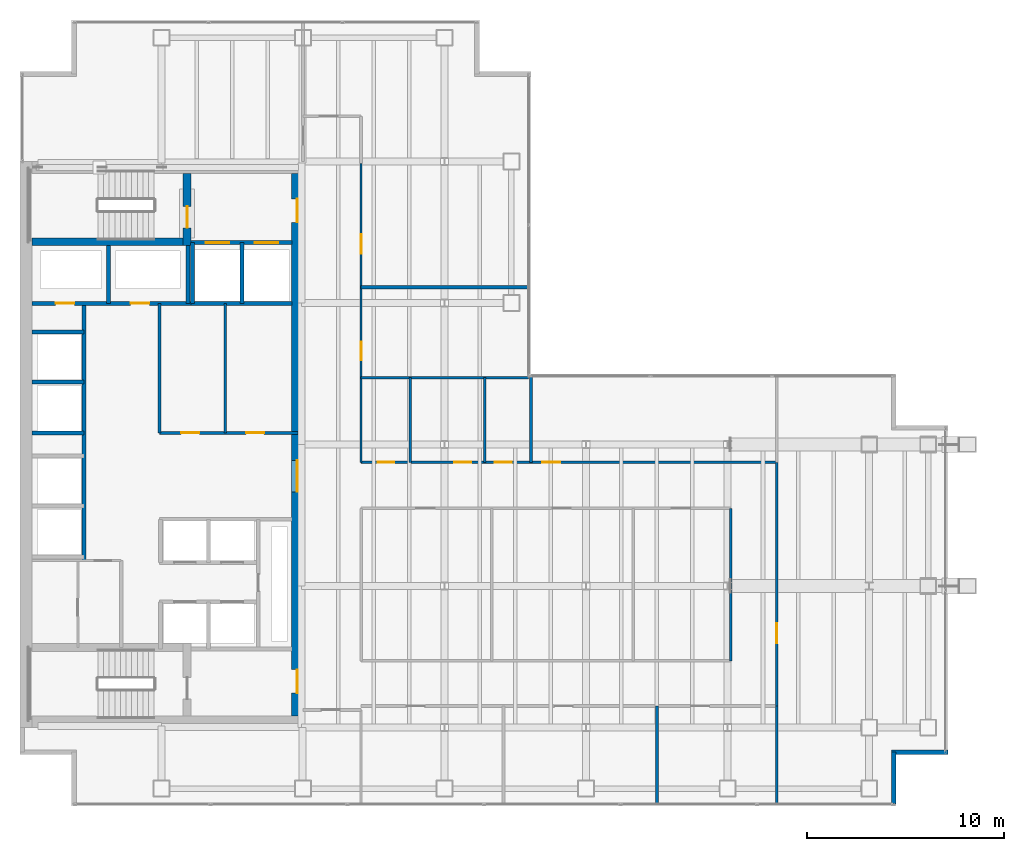
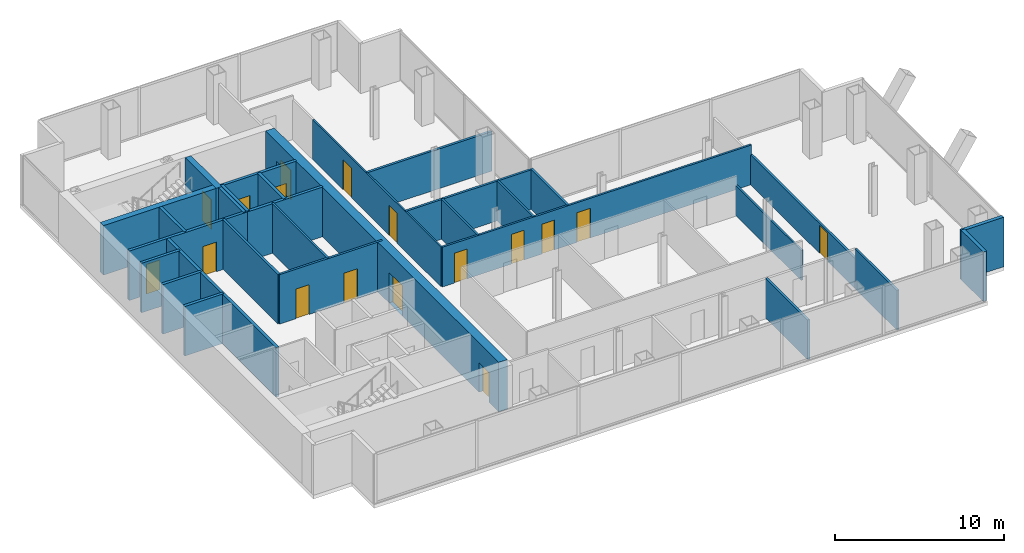
# One storey, part 21 of 23: 30 walls, 17 doors, 17 openings.
"""IFC4 building model written with IfcOpenShell, lengths in metres."""

from ifc_helpers import new_model, si_unit, direction, frame, frame_2d, origin, place, context, subcontext, project, spatial, rectangle, extrude, material, layer, layer_set, type_object, element, fill, save


model = new_model("IFC4")

# Units and contexts
model_context = context("Model", 3, precision=1e-05, world=origin(), true_north=direction((0.0, 1.0)))
body_context = subcontext(model_context, "Body", "Model", "MODEL_VIEW")
ifc_project = project(units=[si_unit("LENGTHUNIT", "METRE"), si_unit("AREAUNIT", "SQUARE_METRE"), si_unit("VOLUMEUNIT", "CUBIC_METRE"), si_unit("PLANEANGLEUNIT", "RADIAN"), si_unit("MASSUNIT", "GRAM", prefix="KILO")], contexts=[model_context])

# Site, building, storey
site_placement = place(None, origin())
site = spatial("IfcSite", under=ifc_project, at=site_placement, CompositionType="ELEMENT")
building_placement = place(site_placement, origin())
building = spatial("IfcBuilding", under=site, at=building_placement, Name="Cobrela Telecom Tower", CompositionType="ELEMENT")
storey_placement = place(building_placement, frame((0.0, 0.0, 156.10009765625)))
storey = spatial("IfcBuildingStorey", under=building, at=storey_placement, Name="L39", CompositionType="ELEMENT", Elevation=156.10009765625)

# Wall, openings, doors
ifc_material_1 = material(Name="Concrete C50/60", Category="concrete")
ifc_layer_1 = layer(ifc_material_1, 0.60009765625)
ifc_layer_set_1 = layer_set([ifc_layer_1], Name="Concrete C50/60")
wall_type_1 = type_object("IfcWallType", Name="WALL-CORE-C50-600", PredefinedType="SHEAR", material=ifc_layer_set_1)
wall_1_placement = place(storey_placement, frame((14.10009765625, 35.39990234375, 0.0), z_axis=(0.0, 0.0, 1.0), x_axis=(0.0, -1.0, 0.0)))
wall_1 = element("IfcWall", 1, at=wall_1_placement, inside=storey, type_object=wall_type_1, Name="L39 East Core Shear Wall", PredefinedType="SHEAR", context=body_context, shape_type="SweptSolid", body=[
    extrude(rectangle(XDim=27.599853515625, YDim=0.60009765625, at=frame_2d((13.7998046875, 0.0))), origin(), (0.0, 0.0, 1.0), 3.579833984375),
])
opening_1_placement = place(wall_1_placement, frame((1.300048828125, 0.0, 0.0)))
opening_1 = element("IfcOpeningElement", 2, at=opening_1_placement, cuts=wall_1, Name="Opening DR-19", PredefinedType="OPENING", context=body_context, shape_type="SweptSolid", body=[
    extrude(rectangle(XDim=1.199951171875, YDim=2.14990234375, at=frame_2d((0.60009765625, 1.074951171875))), frame((0.0, 0.31201171875, 0.0), z_axis=(0.0, -1.0, 0.0), x_axis=(1.0, 0.0, 0.0)), (0.0, 0.0, 1.0), 0.6240234375),
])
opening_2_placement = place(wall_1_placement, frame((25.25, 0.0, 0.0)))
opening_2 = element("IfcOpeningElement", 3, at=opening_2_placement, cuts=wall_1, Name="Opening DR-19", PredefinedType="OPENING", context=body_context, shape_type="SweptSolid", body=[
    extrude(rectangle(XDim=1.199951171875, YDim=2.14990234375, at=frame_2d((0.60009765625, 1.074951171875))), frame((0.0, 0.31201171875, 0.0), z_axis=(0.0, -1.0, 0.0), x_axis=(1.0, 0.0, 0.0)), (0.0, 0.0, 1.0), 0.6240234375),
])
opening_3_placement = place(wall_1_placement, frame((14.60009765625, 0.0, 0.0)))
opening_3 = element("IfcOpeningElement", 4, at=opening_3_placement, cuts=wall_1, Name="Opening DR-51", PredefinedType="OPENING", context=body_context, shape_type="SweptSolid", body=[
    extrude(rectangle(XDim=1.60009765625, YDim=2.199951171875, at=frame_2d((0.800048828125, 1.10009765625))), frame((0.0, 0.31201171875, 0.0), z_axis=(0.0, -1.0, 0.0), x_axis=(1.0, 0.0, 0.0)), (0.0, 0.0, 1.0), 0.6240234375),
])
ifc_material_2 = material(Name="Steel ASTM A36", Category="steel")
door_type_1 = type_object("IfcDoorType", Name="DOOR-FD60-1200", OperationType="SINGLE_SWING_LEFT", PredefinedType="DOOR", material=ifc_material_2)
door_1_placement = place(opening_1_placement, origin())
door_1 = element("IfcDoor", 5, at=door_1_placement, inside=storey, type_object=door_type_1, Name="L39 Door DR-19", OperationType="SINGLE_SWING_LEFT", OverallHeight=2.14990234375, OverallWidth=1.199951171875, PredefinedType="DOOR", context=body_context, shape_type="SweptSolid", body=[
    extrude(rectangle(XDim=1.199951171875, YDim=2.14990234375, at=frame_2d((0.60009765625, 1.074951171875))), frame((0.0, 0.02490234375, 0.0), z_axis=(0.0, -1.0, 0.0), x_axis=(1.0, 0.0, 0.0)), (0.0, 0.0, 1.0), 0.050048828125),
])
fill(opening_1, door_1)
door_2_placement = place(opening_2_placement, origin())
door_2 = element("IfcDoor", 6, at=door_2_placement, inside=storey, type_object=door_type_1, Name="L39 Door DR-19", OperationType="SINGLE_SWING_RIGHT", OverallHeight=2.14990234375, OverallWidth=1.199951171875, PredefinedType="DOOR", context=body_context, shape_type="SweptSolid", body=[
    extrude(rectangle(XDim=1.199951171875, YDim=2.14990234375, at=frame_2d((0.60009765625, 1.074951171875))), frame((0.0, 0.02490234375, 0.0), z_axis=(0.0, -1.0, 0.0), x_axis=(1.0, 0.0, 0.0)), (0.0, 0.0, 1.0), 0.050048828125),
])
fill(opening_2, door_2)
door_type_2 = type_object("IfcDoorType", Name="DOOR-FD60-1600", OperationType="SINGLE_SWING_LEFT", PredefinedType="DOOR", material=ifc_material_2)
door_3_placement = place(opening_3_placement, origin())
door_3 = element("IfcDoor", 7, at=door_3_placement, inside=storey, type_object=door_type_2, Name="L39 Door DR-51", OperationType="DOUBLE_DOOR_SINGLE_SWING", OverallHeight=2.199951171875, OverallWidth=1.60009765625, PredefinedType="DOOR", context=body_context, shape_type="SweptSolid", body=[
    extrude(rectangle(XDim=1.60009765625, YDim=2.199951171875, at=frame_2d((0.800048828125, 1.10009765625))), frame((0.0, 0.02490234375, 0.0), z_axis=(0.0, -1.0, 0.0), x_axis=(1.0, 0.0, 0.0)), (0.0, 0.0, 1.0), 0.050048828125),
])
fill(opening_3, door_3)

# Walls
ifc_material_3 = material(Name="Concrete C40/50", Category="concrete")
ifc_layer_2 = layer(ifc_material_3, 0.239990234375)
ifc_layer_set_2 = layer_set([ifc_layer_2], Name="Concrete C40/50")
wall_type_2 = type_object("IfcWallType", Name="WALL-EXT-300", PredefinedType="STANDARD", material=ifc_layer_set_2)
wall_2_placement = place(storey_placement, frame((47.199951171875, 5.949951171875, 0.0), z_axis=(0.0, 0.0, 1.0), x_axis=(-1.0, 0.0, 0.0)))
element("IfcWall", 8, at=wall_2_placement, inside=storey, type_object=wall_type_2, Name="L39 Insulated Facade Wall 15", PredefinedType="STANDARD", context=body_context, shape_type="SweptSolid", body=[
    extrude(rectangle(XDim=2.869873046875, YDim=0.239990234375, at=frame_2d((1.43505859375, 0.0))), origin(), (0.0, 0.0, 1.0), 3.579833984375),
])
wall_3_placement = place(storey_placement, frame((44.449951171875, 5.949951171875, 0.0), z_axis=(0.0, 0.0, 1.0), x_axis=(0.0, -1.0, 0.0)))
element("IfcWall", 9, at=wall_3_placement, inside=storey, type_object=wall_type_2, Name="L39 Insulated Facade Wall 16", PredefinedType="STANDARD", context=body_context, shape_type="SweptSolid", body=[
    extrude(rectangle(XDim=2.6298828125, YDim=0.239990234375, at=frame_2d((1.31494140625, 0.0))), origin(), (0.0, 0.0, 1.0), 3.579833984375),
])

# Wall, openings, doors
ifc_material_4 = material(Name="Fire-Rated Gypsum Plasterboard")
ifc_layer_3 = layer(ifc_material_4, 0.110107421875)
ifc_layer_set_3 = layer_set([ifc_layer_3], Name="Fire-Rated Gypsum Plasterboard")
wall_type_3 = type_object("IfcWallType", Name="WALL-PART-110", PredefinedType="PARTITIONING", material=ifc_layer_set_3)
wall_4_placement = place(storey_placement, frame((17.35009765625, 20.699951171875, 0.0), z_axis=(0.0, 0.0, 1.0), x_axis=(0.0, 1.0, 0.0)))
wall_4 = element("IfcWall", 10, at=wall_4_placement, inside=storey, type_object=wall_type_3, Name="L39 Interior Partition W-UW-E2", PredefinedType="PARTITIONING", context=body_context, shape_type="SweptSolid", body=[
    extrude(rectangle(XDim=15.199951171875, YDim=0.110107421875, at=frame_2d((7.60009765625, 0.0))), origin(), (0.0, 0.0, 1.0), 2.868896484375),
])
opening_4_placement = place(wall_4_placement, frame((5.199951171875, 0.0, 0.0)))
opening_4 = element("IfcOpeningElement", 11, at=opening_4_placement, cuts=wall_4, Name="Opening DR-45", PredefinedType="OPENING", context=body_context, shape_type="SweptSolid", body=[
    extrude(rectangle(XDim=0.919921875, YDim=2.14990234375, at=frame_2d((0.4599609375, 1.074951171875))), frame((0.0, 0.06689453125, 0.0), z_axis=(0.0, -1.0, 0.0), x_axis=(1.0, 0.0, 0.0)), (0.0, 0.0, 1.0), 0.134033203125),
])
opening_5_placement = place(wall_4_placement, frame((10.60009765625, 0.0, 0.0)))
opening_5 = element("IfcOpeningElement", 12, at=opening_5_placement, cuts=wall_4, Name="Opening DR-31", PredefinedType="OPENING", context=body_context, shape_type="SweptSolid", body=[
    extrude(rectangle(XDim=1.0, YDim=2.14990234375, at=frame_2d((0.5, 1.074951171875))), frame((0.0, 0.06689453125, 0.0), z_axis=(0.0, -1.0, 0.0), x_axis=(1.0, 0.0, 0.0)), (0.0, 0.0, 1.0), 0.134033203125),
])
ifc_material_5 = material(Name="Solid Engineered Oak Timber", Category="wood")
door_type_3 = type_object("IfcDoorType", Name="DOOR-INT-1000", OperationType="SINGLE_SWING_LEFT", PredefinedType="DOOR", material=ifc_material_5)
door_4_placement = place(opening_5_placement, origin())
door_4 = element("IfcDoor", 13, at=door_4_placement, inside=storey, type_object=door_type_3, Name="L39 Door DR-31", OperationType="SINGLE_SWING_LEFT", OverallHeight=2.14990234375, OverallWidth=1.0, PredefinedType="DOOR", context=body_context, shape_type="SweptSolid", body=[
    extrude(rectangle(XDim=1.0, YDim=2.14990234375, at=frame_2d((0.5, 1.074951171875))), frame((0.0, 0.02490234375, 0.0), z_axis=(0.0, -1.0, 0.0), x_axis=(1.0, 0.0, 0.0)), (0.0, 0.0, 1.0), 0.050048828125),
])
fill(opening_5, door_4)
door_type_4 = type_object("IfcDoorType", Name="DOOR-INT-920", OperationType="SINGLE_SWING_LEFT", PredefinedType="DOOR", material=ifc_material_5)
door_5_placement = place(opening_4_placement, origin())
door_5 = element("IfcDoor", 14, at=door_5_placement, inside=storey, type_object=door_type_4, Name="L39 Door DR-45", OperationType="SINGLE_SWING_RIGHT", OverallHeight=2.14990234375, OverallWidth=0.919921875, PredefinedType="DOOR", context=body_context, shape_type="SweptSolid", body=[
    extrude(rectangle(XDim=0.919921875, YDim=2.14990234375, at=frame_2d((0.4599609375, 1.074951171875))), frame((0.0, 0.02490234375, 0.0), z_axis=(0.0, -1.0, 0.0), x_axis=(1.0, 0.0, 0.0)), (0.0, 0.0, 1.0), 0.050048828125),
])
fill(opening_4, door_5)

# Walls
ifc_layer_4 = layer(ifc_material_4, 0.125)
ifc_layer_set_4 = layer_set([ifc_layer_4], Name="Fire-Rated Gypsum Plasterboard")
wall_type_4 = type_object("IfcWallType", Name="WALL-PART-125", PredefinedType="PARTITIONING", material=ifc_layer_set_4)
wall_5_placement = place(storey_placement, frame((36.14990234375, 10.60009765625, 0.0), z_axis=(0.0, 0.0, 1.0), x_axis=(0.0, 1.0, 0.0)))
element("IfcWall", 15, at=wall_5_placement, inside=storey, type_object=wall_type_4, Name="L39 Interior Partition W-ISL-E", PredefinedType="PARTITIONING", context=body_context, shape_type="SweptSolid", body=[
    extrude(rectangle(XDim=7.75, YDim=0.125, at=frame_2d((3.875, 0.0))), origin(), (0.0, 0.0, 1.0), 2.164794921875),
])
for number, where, z_axis, x_axis, name in (
    (16, (19.85009765625, 20.699951171875, 0.0), (0.0, 0.0, 1.0), (0.0, 1.0, 0.0), "L39 Interior Partition W-WC-V1"),
    (17, (23.64990234375, 20.699951171875, 0.0), (0.0, 0.0, 1.0), (0.0, 1.0, 0.0), "L39 Interior Partition W-WC-V2"),
):
    element("IfcWall", number, at=place(storey_placement, frame(where, z_axis=z_axis, x_axis=x_axis)), inside=storey, type_object=wall_type_4, Name=name, PredefinedType="PARTITIONING", context=body_context, shape_type="SweptSolid", body=[
        extrude(rectangle(XDim=4.300048828125, YDim=0.125, at=frame_2d((2.14990234375, 0.0))), origin(), (0.0, 0.0, 1.0), 2.868896484375),
    ])
ifc_layer_5 = layer(ifc_material_4, 0.135009765625)
ifc_layer_set_5 = layer_set([ifc_layer_5], Name="Fire-Rated Gypsum Plasterboard")
wall_type_5 = type_object("IfcWallType", Name="WALL-PART-135", PredefinedType="PARTITIONING", material=ifc_layer_set_5)
wall_6_placement = place(storey_placement, frame((10.449951171875, 22.199951171875, 0.0), z_axis=(0.0, 0.0, 1.0), x_axis=(0.0, 1.0, 0.0)))
element("IfcWall", 18, at=wall_6_placement, inside=storey, type_object=wall_type_5, Name="L39 Interior Partition CW-RECL-V", PredefinedType="PARTITIONING", context=body_context, shape_type="SweptSolid", body=[
    extrude(rectangle(XDim=6.580078125, YDim=0.135009765625, at=frame_2d((3.2900390625, 0.0))), origin(), (0.0, 0.0, 1.0), 3.579833984375),
])

# Wall, openings, doors
wall_7_placement = place(storey_placement, frame((17.35009765625, 20.699951171875, 0.0), z_axis=(0.0, 0.0, 1.0), x_axis=(1.0, 0.0, 0.0)))
wall_7 = element("IfcWall", 19, at=wall_7_placement, inside=storey, type_object=wall_type_5, Name="L39 Interior Partition W-UN-N", PredefinedType="PARTITIONING", context=body_context, shape_type="SweptSolid", body=[
    extrude(rectangle(XDim=21.14990234375, YDim=0.135009765625, at=frame_2d((10.574951171875, 0.0))), origin(), (0.0, 0.0, 1.0), 2.868896484375),
])
opening_6_placement = place(wall_7_placement, frame((0.85009765625, 0.0, 0.0)))
opening_6 = element("IfcOpeningElement", 20, at=opening_6_placement, cuts=wall_7, Name="Opening DR-11", PredefinedType="OPENING", context=body_context, shape_type="SweptSolid", body=[
    extrude(rectangle(XDim=0.85009765625, YDim=2.14990234375, at=frame_2d((0.425048828125, 1.074951171875))), frame((0.0, 0.07958984375, 0.0), z_axis=(0.0, -1.0, 0.0), x_axis=(1.0, 0.0, 0.0)), (0.0, 0.0, 1.0), 0.158935546875),
])
opening_7_placement = place(wall_7_placement, frame((4.75, 0.0, 0.0)))
opening_7 = element("IfcOpeningElement", 21, at=opening_7_placement, cuts=wall_7, Name="Opening DR-11", PredefinedType="OPENING", context=body_context, shape_type="SweptSolid", body=[
    extrude(rectangle(XDim=0.85009765625, YDim=2.14990234375, at=frame_2d((0.425048828125, 1.074951171875))), frame((0.0, 0.07958984375, 0.0), z_axis=(0.0, -1.0, 0.0), x_axis=(1.0, 0.0, 0.0)), (0.0, 0.0, 1.0), 0.158935546875),
])
opening_8_placement = place(wall_7_placement, frame((6.81005859375, 0.0, 0.0)))
opening_8 = element("IfcOpeningElement", 22, at=opening_8_placement, cuts=wall_7, Name="Opening DR-11", PredefinedType="OPENING", context=body_context, shape_type="SweptSolid", body=[
    extrude(rectangle(XDim=0.85009765625, YDim=2.14990234375, at=frame_2d((0.425048828125, 1.074951171875))), frame((0.0, 0.07958984375, 0.0), z_axis=(0.0, -1.0, 0.0), x_axis=(1.0, 0.0, 0.0)), (0.0, 0.0, 1.0), 0.158935546875),
])
opening_9_placement = place(wall_7_placement, frame((9.2099609375, 0.0, 0.0)))
opening_9 = element("IfcOpeningElement", 23, at=opening_9_placement, cuts=wall_7, Name="Opening DR-45", PredefinedType="OPENING", context=body_context, shape_type="SweptSolid", body=[
    extrude(rectangle(XDim=0.919921875, YDim=2.14990234375, at=frame_2d((0.4599609375, 1.074951171875))), frame((0.0, 0.07958984375, 0.0), z_axis=(0.0, -1.0, 0.0), x_axis=(1.0, 0.0, 0.0)), (0.0, 0.0, 1.0), 0.158935546875),
])
door_type_5 = type_object("IfcDoorType", Name="DOOR-INT-850", OperationType="SINGLE_SWING_LEFT", PredefinedType="DOOR", material=ifc_material_5)
door_6_placement = place(opening_6_placement, origin())
door_6 = element("IfcDoor", 24, at=door_6_placement, inside=storey, type_object=door_type_5, Name="L39 Door DR-11", OperationType="SINGLE_SWING_LEFT", OverallHeight=2.14990234375, OverallWidth=0.85009765625, PredefinedType="DOOR", context=body_context, shape_type="SweptSolid", body=[
    extrude(rectangle(XDim=0.85009765625, YDim=2.14990234375, at=frame_2d((0.425048828125, 1.074951171875))), frame((0.0, 0.02490234375, 0.0), z_axis=(0.0, -1.0, 0.0), x_axis=(1.0, 0.0, 0.0)), (0.0, 0.0, 1.0), 0.050048828125),
])
fill(opening_6, door_6)
door_7_placement = place(opening_7_placement, origin())
door_7 = element("IfcDoor", 25, at=door_7_placement, inside=storey, type_object=door_type_5, Name="L39 Door DR-11", OperationType="SINGLE_SWING_RIGHT", OverallHeight=2.14990234375, OverallWidth=0.85009765625, PredefinedType="DOOR", context=body_context, shape_type="SweptSolid", body=[
    extrude(rectangle(XDim=0.85009765625, YDim=2.14990234375, at=frame_2d((0.425048828125, 1.074951171875))), frame((0.0, 0.02490234375, 0.0), z_axis=(0.0, -1.0, 0.0), x_axis=(1.0, 0.0, 0.0)), (0.0, 0.0, 1.0), 0.050048828125),
])
fill(opening_7, door_7)
door_8_placement = place(opening_8_placement, origin())
door_8 = element("IfcDoor", 26, at=door_8_placement, inside=storey, type_object=door_type_5, Name="L39 Door DR-11", OperationType="SINGLE_SWING_LEFT", OverallHeight=2.14990234375, OverallWidth=0.85009765625, PredefinedType="DOOR", context=body_context, shape_type="SweptSolid", body=[
    extrude(rectangle(XDim=0.85009765625, YDim=2.14990234375, at=frame_2d((0.425048828125, 1.074951171875))), frame((0.0, 0.02490234375, 0.0), z_axis=(0.0, -1.0, 0.0), x_axis=(1.0, 0.0, 0.0)), (0.0, 0.0, 1.0), 0.050048828125),
])
fill(opening_8, door_8)
door_9_placement = place(opening_9_placement, origin())
door_9 = element("IfcDoor", 27, at=door_9_placement, inside=storey, type_object=door_type_4, Name="L39 Door DR-45", OperationType="SINGLE_SWING_RIGHT", OverallHeight=2.14990234375, OverallWidth=0.919921875, PredefinedType="DOOR", context=body_context, shape_type="SweptSolid", body=[
    extrude(rectangle(XDim=0.919921875, YDim=2.14990234375, at=frame_2d((0.4599609375, 1.074951171875))), frame((0.0, 0.02490234375, 0.0), z_axis=(0.0, -1.0, 0.0), x_axis=(1.0, 0.0, 0.0)), (0.0, 0.0, 1.0), 0.050048828125),
])
fill(opening_9, door_9)

ifc_layer_6 = layer(ifc_material_4, 0.14990234375)
ifc_layer_set_6 = layer_set([ifc_layer_6], Name="Fire-Rated Gypsum Plasterboard")
wall_type_6 = type_object("IfcWallType", Name="WALL-PART-150", PredefinedType="PARTITIONING", material=ifc_layer_set_6)
wall_8_placement = place(storey_placement, frame((7.10009765625, 22.199951171875, 0.0), z_axis=(0.0, 0.0, 1.0), x_axis=(1.0, 0.0, 0.0)))
wall_8 = element("IfcWall", 28, at=wall_8_placement, inside=storey, type_object=wall_type_6, Name="L39 Interior Partition CW-RECL-S", PredefinedType="PARTITIONING", context=body_context, shape_type="SweptSolid", body=[
    extrude(rectangle(XDim=7.0498046875, YDim=0.14990234375, at=frame_2d((3.52490234375, 0.0))), origin(), (0.0, 0.0, 1.0), 3.579833984375),
])
opening_10_placement = place(wall_8_placement, frame((1.10009765625, 0.0, 0.0)))
opening_10 = element("IfcOpeningElement", 29, at=opening_10_placement, cuts=wall_8, Name="Opening DR-45", PredefinedType="OPENING", context=body_context, shape_type="SweptSolid", body=[
    extrude(rectangle(XDim=0.919921875, YDim=2.14990234375, at=frame_2d((0.4599609375, 1.074951171875))), frame((0.0, 0.0869140625, 0.0), z_axis=(0.0, -1.0, 0.0), x_axis=(1.0, 0.0, 0.0)), (0.0, 0.0, 1.0), 0.173828125),
])
opening_11_placement = place(wall_8_placement, frame((4.39990234375, 0.0, 0.0)))
opening_11 = element("IfcOpeningElement", 30, at=opening_11_placement, cuts=wall_8, Name="Opening DR-45", PredefinedType="OPENING", context=body_context, shape_type="SweptSolid", body=[
    extrude(rectangle(XDim=0.919921875, YDim=2.14990234375, at=frame_2d((0.4599609375, 1.074951171875))), frame((0.0, 0.0869140625, 0.0), z_axis=(0.0, -1.0, 0.0), x_axis=(1.0, 0.0, 0.0)), (0.0, 0.0, 1.0), 0.173828125),
])
door_10_placement = place(opening_10_placement, origin())
door_10 = element("IfcDoor", 31, at=door_10_placement, inside=storey, type_object=door_type_4, Name="L39 Door DR-45", OperationType="SINGLE_SWING_LEFT", OverallHeight=2.14990234375, OverallWidth=0.919921875, PredefinedType="DOOR", context=body_context, shape_type="SweptSolid", body=[
    extrude(rectangle(XDim=0.919921875, YDim=2.14990234375, at=frame_2d((0.4599609375, 1.074951171875))), frame((0.0, 0.02490234375, 0.0), z_axis=(0.0, -1.0, 0.0), x_axis=(1.0, 0.0, 0.0)), (0.0, 0.0, 1.0), 0.050048828125),
])
fill(opening_10, door_10)
door_11_placement = place(opening_11_placement, origin())
door_11 = element("IfcDoor", 32, at=door_11_placement, inside=storey, type_object=door_type_4, Name="L39 Door DR-45", OperationType="SINGLE_SWING_RIGHT", OverallHeight=2.14990234375, OverallWidth=0.919921875, PredefinedType="DOOR", context=body_context, shape_type="SweptSolid", body=[
    extrude(rectangle(XDim=0.919921875, YDim=2.14990234375, at=frame_2d((0.4599609375, 1.074951171875))), frame((0.0, 0.02490234375, 0.0), z_axis=(0.0, -1.0, 0.0), x_axis=(1.0, 0.0, 0.0)), (0.0, 0.0, 1.0), 0.050048828125),
])
fill(opening_11, door_11)

# Wall, opening, door
wall_9_placement = place(storey_placement, frame((38.5, 8.300048828125, 0.0), z_axis=(0.0, 0.0, 1.0), x_axis=(0.0, 1.0, 0.0)))
wall_9 = element("IfcWall", 33, at=wall_9_placement, inside=storey, type_object=wall_type_6, Name="L39 Interior Partition W-UE-E", PredefinedType="PARTITIONING", context=body_context, shape_type="SweptSolid", body=[
    extrude(rectangle(XDim=12.39990234375, YDim=0.14990234375, at=frame_2d((6.199951171875, 0.0))), origin(), (0.0, 0.0, 1.0), 2.164794921875),
])
opening_12_placement = place(wall_9_placement, frame((3.199951171875, 0.0, 0.0)))
opening_12 = element("IfcOpeningElement", 34, at=opening_12_placement, cuts=wall_9, Name="Opening DR-57", PredefinedType="OPENING", context=body_context, shape_type="SweptSolid", body=[
    extrude(rectangle(XDim=1.0, YDim=2.02001953125, at=frame_2d((0.5, 1.010009765625))), frame((0.0, 0.0869140625, 0.0), z_axis=(0.0, -1.0, 0.0), x_axis=(1.0, 0.0, 0.0)), (0.0, 0.0, 1.0), 0.173828125),
])
door_type_6 = type_object("IfcDoorType", Name="DOOR-LOW-1000", OperationType="SINGLE_SWING_LEFT", PredefinedType="DOOR", material=ifc_material_2)
door_12_placement = place(opening_12_placement, origin())
door_12 = element("IfcDoor", 35, at=door_12_placement, inside=storey, type_object=door_type_6, Name="L39 Door DR-57", OperationType="SINGLE_SWING_LEFT", OverallHeight=2.02001953125, OverallWidth=1.0, PredefinedType="DOOR", context=body_context, shape_type="SweptSolid", body=[
    extrude(rectangle(XDim=1.0, YDim=2.02001953125, at=frame_2d((0.5, 1.010009765625))), frame((0.0, 0.02490234375, 0.0), z_axis=(0.0, -1.0, 0.0), x_axis=(1.0, 0.0, 0.0)), (0.0, 0.0, 1.0), 0.050048828125),
])
fill(opening_12, door_12)

# Walls
wall_10_placement = place(storey_placement, frame((17.35009765625, 25.0, 0.0), z_axis=(0.0, 0.0, 1.0), x_axis=(1.0, 0.0, 0.0)))
element("IfcWall", 36, at=wall_10_placement, inside=storey, type_object=wall_type_6, Name="L39 Interior Partition W-WC-N", PredefinedType="PARTITIONING", context=body_context, shape_type="SweptSolid", body=[
    extrude(rectangle(XDim=8.52978515625, YDim=0.14990234375, at=frame_2d((4.264892578125, 0.0))), origin(), (0.0, 0.0, 1.0), 2.868896484375),
])
for number, where, z_axis, x_axis, name in (
    (37, (38.5, 3.320068359375, 0.0), (0.0, 0.0, 1.0), (0.0, 1.0, 0.0), "L39 Interior Partition W-UFE-S"),
    (38, (32.39990234375, 3.320068359375, 0.0), (0.0, 0.0, 1.0), (0.0, 1.0, 0.0), "L39 Interior Partition W-USV-2"),
):
    element("IfcWall", number, at=place(storey_placement, frame(where, z_axis=z_axis, x_axis=x_axis)), inside=storey, type_object=wall_type_6, Name=name, PredefinedType="PARTITIONING", context=body_context, shape_type="SweptSolid", body=[
        extrude(rectangle(XDim=4.97998046875, YDim=0.14990234375, at=frame_2d((2.489990234375, 0.0))), origin(), (0.0, 0.0, 1.0), 2.868896484375),
    ])
ifc_layer_7 = layer(ifc_material_4, 0.159912109375)
ifc_layer_set_7 = layer_set([ifc_layer_7], Name="Fire-Rated Gypsum Plasterboard")
wall_type_7 = type_object("IfcWallType", Name="WALL-PART-160", PredefinedType="PARTITIONING", material=ifc_layer_set_7)
wall_11_placement = place(storey_placement, frame((7.10009765625, 22.199951171875, 0.0), z_axis=(0.0, 0.0, 1.0), x_axis=(0.0, 1.0, 0.0)))
element("IfcWall", 39, at=wall_11_placement, inside=storey, type_object=wall_type_7, Name="L39 Interior Partition CW-RECL-W", PredefinedType="PARTITIONING", context=body_context, shape_type="SweptSolid", body=[
    extrude(rectangle(XDim=6.580078125, YDim=0.159912109375, at=frame_2d((3.2900390625, 0.0))), origin(), (0.0, 0.0, 1.0), 3.579833984375),
])
wall_12_placement = place(storey_placement, frame((17.35009765625, 29.60009765625, 0.0), z_axis=(0.0, 0.0, 1.0), x_axis=(1.0, 0.0, 0.0)))
element("IfcWall", 40, at=wall_12_placement, inside=storey, type_object=wall_type_7, Name="L39 Interior Partition W-NPAN-N", PredefinedType="PARTITIONING", context=body_context, shape_type="SweptSolid", body=[
    extrude(rectangle(XDim=8.52978515625, YDim=0.159912109375, at=frame_2d((4.264892578125, 0.0))), origin(), (0.0, 0.0, 1.0), 2.868896484375),
])
wall_13_placement = place(storey_placement, frame((26.0, 20.699951171875, 0.0), z_axis=(0.0, 0.0, 1.0), x_axis=(0.0, 1.0, 0.0)))
element("IfcWall", 41, at=wall_13_placement, inside=storey, type_object=wall_type_7, Name="L39 Interior Partition W-UEN-W", PredefinedType="PARTITIONING", context=body_context, shape_type="SweptSolid", body=[
    extrude(rectangle(XDim=4.380126953125, YDim=0.159912109375, at=frame_2d((2.18994140625, 0.0))), origin(), (0.0, 0.0, 1.0), 2.868896484375),
])

# Wall, openings, doors
ifc_layer_8 = layer(ifc_material_4, 0.199951171875)
ifc_layer_set_8 = layer_set([ifc_layer_8], Name="Fire-Rated Gypsum Plasterboard")
wall_type_8 = type_object("IfcWallType", Name="WALL-SHAFT-200", PredefinedType="PARTITIONING", material=ifc_layer_set_8)
wall_14_placement = place(storey_placement, frame((8.699951171875, 31.8798828125, 0.0), z_axis=(0.0, 0.0, 1.0), x_axis=(1.0, 0.0, 0.0)))
wall_14 = element("IfcWall", 42, at=wall_14_placement, inside=storey, type_object=wall_type_8, Name="L39 Shaft Enclosure CW-FFL-S", PredefinedType="PARTITIONING", context=body_context, shape_type="SweptSolid", body=[
    extrude(rectangle(XDim=5.150146484375, YDim=0.199951171875, at=frame_2d((2.5751953125, 0.0))), origin(), (0.0, 0.0, 1.0), 3.579833984375),
])
opening_13_placement = place(wall_14_placement, frame((0.75, 0.0, 0.0)))
opening_13 = element("IfcOpeningElement", 43, at=opening_13_placement, cuts=wall_14, Name="Opening LD-2", PredefinedType="OPENING", context=body_context, shape_type="SweptSolid", body=[
    extrude(rectangle(XDim=1.199951171875, YDim=2.199951171875, at=frame_2d((0.60009765625, 1.10009765625))), frame((0.0, 0.11181640625, 0.0), z_axis=(0.0, -1.0, 0.0), x_axis=(1.0, 0.0, 0.0)), (0.0, 0.0, 1.0), 0.223876953125),
])
opening_14_placement = place(wall_14_placement, frame((3.25, 0.0, 0.0)))
opening_14 = element("IfcOpeningElement", 44, at=opening_14_placement, cuts=wall_14, Name="Opening LD-2", PredefinedType="OPENING", context=body_context, shape_type="SweptSolid", body=[
    extrude(rectangle(XDim=1.199951171875, YDim=2.199951171875, at=frame_2d((0.60009765625, 1.10009765625))), frame((0.0, 0.11181640625, 0.0), z_axis=(0.0, -1.0, 0.0), x_axis=(1.0, 0.0, 0.0)), (0.0, 0.0, 1.0), 0.223876953125),
])
door_type_7 = type_object("IfcDoorType", Name="DOOR-LD-FFL", OperationType="SINGLE_SWING_LEFT", PredefinedType="DOOR", material=ifc_material_2)
door_13_placement = place(opening_13_placement, origin())
door_13 = element("IfcDoor", 45, at=door_13_placement, inside=storey, type_object=door_type_7, Name="L39 Lift Landing Door LD-2", OperationType="DOUBLE_DOOR_SLIDING", OverallHeight=2.199951171875, OverallWidth=1.199951171875, PredefinedType="DOOR", context=body_context, shape_type="SweptSolid", body=[
    extrude(rectangle(XDim=1.199951171875, YDim=2.199951171875, at=frame_2d((0.60009765625, 1.10009765625))), frame((0.0, 0.02490234375, 0.0), z_axis=(0.0, -1.0, 0.0), x_axis=(1.0, 0.0, 0.0)), (0.0, 0.0, 1.0), 0.050048828125),
])
fill(opening_13, door_13)
door_14_placement = place(opening_14_placement, origin())
door_14 = element("IfcDoor", 46, at=door_14_placement, inside=storey, type_object=door_type_7, Name="L39 Lift Landing Door LD-2", OperationType="DOUBLE_DOOR_SLIDING", OverallHeight=2.199951171875, OverallWidth=1.199951171875, PredefinedType="DOOR", context=body_context, shape_type="SweptSolid", body=[
    extrude(rectangle(XDim=1.199951171875, YDim=2.199951171875, at=frame_2d((0.60009765625, 1.10009765625))), frame((0.0, 0.02490234375, 0.0), z_axis=(0.0, -1.0, 0.0), x_axis=(1.0, 0.0, 0.0)), (0.0, 0.0, 1.0), 0.050048828125),
])
fill(opening_14, door_14)

# Walls
wall_15_placement = place(storey_placement, frame((8.699951171875, 28.780029296875, 0.0), z_axis=(0.0, 0.0, 1.0), x_axis=(1.0, 0.0, 0.0)))
element("IfcWall", 47, at=wall_15_placement, inside=storey, type_object=wall_type_8, Name="L39 Shaft Enclosure CW-FFL-S2", PredefinedType="PARTITIONING", context=body_context, shape_type="SweptSolid", body=[
    extrude(rectangle(XDim=5.150146484375, YDim=0.199951171875, at=frame_2d((2.5751953125, 0.0))), origin(), (0.0, 0.0, 1.0), 3.579833984375),
])
for number, where, z_axis, x_axis, name in (
    (48, (8.780029296875, 28.780029296875, 0.0), (0.0, 0.0, 1.0), (0.0, 1.0, 0.0), "L39 Shaft Enclosure CW-FFL-W"),
    (49, (11.300048828125, 28.780029296875, 0.0), (0.0, 0.0, 1.0), (0.0, 1.0, 0.0), "L39 Shaft Enclosure CW-FFL-M"),
):
    element("IfcWall", number, at=place(storey_placement, frame(where, z_axis=z_axis, x_axis=x_axis)), inside=storey, type_object=wall_type_8, Name=name, PredefinedType="PARTITIONING", context=body_context, shape_type="SweptSolid", body=[
        extrude(rectangle(XDim=3.099853515625, YDim=0.199951171875, at=frame_2d((1.5498046875, 0.0))), origin(), (0.0, 0.0, 1.0), 3.579833984375),
    ])

# Wall, openings, doors
wall_16_placement = place(storey_placement, frame((0.60009765625, 28.780029296875, 0.0), z_axis=(0.0, 0.0, 1.0), x_axis=(1.0, 0.0, 0.0)))
wall_16 = element("IfcWall", 50, at=wall_16_placement, inside=storey, type_object=wall_type_8, Name="L39 Shaft Enclosure CW-RIS-S", PredefinedType="PARTITIONING", context=body_context, shape_type="SweptSolid", body=[
    extrude(rectangle(XDim=8.179931640625, YDim=0.199951171875, at=frame_2d((4.08984375, 0.0))), origin(), (0.0, 0.0, 1.0), 3.579833984375),
])
opening_15_placement = place(wall_16_placement, frame((1.2099609375, 0.0, 0.0)))
opening_15 = element("IfcOpeningElement", 51, at=opening_15_placement, cuts=wall_16, Name="Opening DR-65", PredefinedType="OPENING", context=body_context, shape_type="SweptSolid", body=[
    extrude(rectangle(XDim=0.949951171875, YDim=2.14990234375, at=frame_2d((0.47509765625, 1.074951171875))), frame((0.0, 0.11181640625, 0.0), z_axis=(0.0, -1.0, 0.0), x_axis=(1.0, 0.0, 0.0)), (0.0, 0.0, 1.0), 0.223876953125),
])
opening_16_placement = place(wall_16_placement, frame((5.030029296875, 0.0, 0.0)))
opening_16 = element("IfcOpeningElement", 52, at=opening_16_placement, cuts=wall_16, Name="Opening DR-65", PredefinedType="OPENING", context=body_context, shape_type="SweptSolid", body=[
    extrude(rectangle(XDim=0.949951171875, YDim=2.14990234375, at=frame_2d((0.47509765625, 1.074951171875))), frame((0.0, 0.11181640625, 0.0), z_axis=(0.0, -1.0, 0.0), x_axis=(1.0, 0.0, 0.0)), (0.0, 0.0, 1.0), 0.223876953125),
])
door_type_8 = type_object("IfcDoorType", Name="DOOR-FD60-950", OperationType="SINGLE_SWING_LEFT", PredefinedType="DOOR", material=ifc_material_2)
door_15_placement = place(opening_15_placement, origin())
door_15 = element("IfcDoor", 53, at=door_15_placement, inside=storey, type_object=door_type_8, Name="L39 Door DR-65", OperationType="SINGLE_SWING_LEFT", OverallHeight=2.14990234375, OverallWidth=0.949951171875, PredefinedType="DOOR", context=body_context, shape_type="SweptSolid", body=[
    extrude(rectangle(XDim=0.949951171875, YDim=2.14990234375, at=frame_2d((0.47509765625, 1.074951171875))), frame((0.0, 0.02490234375, 0.0), z_axis=(0.0, -1.0, 0.0), x_axis=(1.0, 0.0, 0.0)), (0.0, 0.0, 1.0), 0.050048828125),
])
fill(opening_15, door_15)
door_16_placement = place(opening_16_placement, origin())
door_16 = element("IfcDoor", 54, at=door_16_placement, inside=storey, type_object=door_type_8, Name="L39 Door DR-65", OperationType="SINGLE_SWING_RIGHT", OverallHeight=2.14990234375, OverallWidth=0.949951171875, PredefinedType="DOOR", context=body_context, shape_type="SweptSolid", body=[
    extrude(rectangle(XDim=0.949951171875, YDim=2.14990234375, at=frame_2d((0.47509765625, 1.074951171875))), frame((0.0, 0.02490234375, 0.0), z_axis=(0.0, -1.0, 0.0), x_axis=(1.0, 0.0, 0.0)), (0.0, 0.0, 1.0), 0.050048828125),
])
fill(opening_16, door_16)

# Walls
for number, where, z_axis, x_axis, name in (
    (55, (4.5, 28.780029296875, 0.0), (0.0, 0.0, 1.0), (0.0, 1.0, 0.0), "L39 Shaft Enclosure CW-RIS-M"),
    (56, (8.550048828125, 28.780029296875, 0.0), (0.0, 0.0, 1.0), (0.0, 1.0, 0.0), "L39 Shaft Enclosure CW-RIS-E"),
):
    element("IfcWall", number, at=place(storey_placement, frame(where, z_axis=z_axis, x_axis=x_axis)), inside=storey, type_object=wall_type_8, Name=name, PredefinedType="PARTITIONING", context=body_context, shape_type="SweptSolid", body=[
        extrude(rectangle(XDim=2.93994140625, YDim=0.199951171875, at=frame_2d((1.469970703125, 0.0))), origin(), (0.0, 0.0, 1.0), 3.579833984375),
    ])
wall_17_placement = place(storey_placement, frame((3.25, 15.699951171875, 0.0), z_axis=(0.0, 0.0, 1.0), x_axis=(0.0, 1.0, 0.0)))
element("IfcWall", 57, at=wall_17_placement, inside=storey, type_object=wall_type_8, Name="L39 Shaft Enclosure CW-PLH-E", PredefinedType="PARTITIONING", context=body_context, shape_type="SweptSolid", body=[
    extrude(rectangle(XDim=13.080078125, YDim=0.199951171875, at=frame_2d((6.5400390625, 0.0))), origin(), (0.0, 0.0, 1.0), 3.579833984375),
])
for number, where, z_axis, x_axis, name in (
    (58, (0.60009765625, 22.179931640625, 0.0), (0.0, 0.0, 1.0), (1.0, 0.0, 0.0), "L39 Shaft Enclosure CW-PLH-D11"),
    (59, (0.60009765625, 24.780029296875, 0.0), (0.0, 0.0, 1.0), (1.0, 0.0, 0.0), "L39 Shaft Enclosure CW-PLH-D12"),
    (60, (0.60009765625, 27.320068359375, 0.0), (0.0, 0.0, 1.0), (1.0, 0.0, 0.0), "L39 Shaft Enclosure CW-PLH-TOP"),
):
    element("IfcWall", number, at=place(storey_placement, frame(where, z_axis=z_axis, x_axis=x_axis)), inside=storey, type_object=wall_type_8, Name=name, PredefinedType="PARTITIONING", context=body_context, shape_type="SweptSolid", body=[
        extrude(rectangle(XDim=2.64990234375, YDim=0.199951171875, at=frame_2d((1.324951171875, 0.0))), origin(), (0.0, 0.0, 1.0), 3.579833984375),
    ])
ifc_layer_9 = layer(ifc_material_3, 0.39990234375)
ifc_layer_set_9 = layer_set([ifc_layer_9], Name="Concrete C40/50")
wall_type_9 = type_object("IfcWallType", Name="WALL-SHAFT-C40-400", PredefinedType="SHEAR", material=ifc_layer_set_9)
wall_18_placement = place(storey_placement, frame((0.60009765625, 31.919921875, 0.0), z_axis=(0.0, 0.0, 1.0), x_axis=(1.0, 0.0, 0.0)))
element("IfcWall", 61, at=wall_18_placement, inside=storey, type_object=wall_type_9, Name="L39 North Stair Shear Wall", PredefinedType="SHEAR", context=body_context, shape_type="SweptSolid", body=[
    extrude(rectangle(XDim=7.699951171875, YDim=0.39990234375, at=frame_2d((3.85009765625, 0.0))), origin(), (0.0, 0.0, 1.0), 3.579833984375),
])

# Wall, opening, door
wall_19_placement = place(storey_placement, frame((8.5, 31.719970703125, 0.0), z_axis=(0.0, 0.0, 1.0), x_axis=(0.0, 1.0, 0.0)))
wall_19 = element("IfcWall", 62, at=wall_19_placement, inside=storey, type_object=wall_type_9, Name="L39 North Stair Lobby Shear Wall", PredefinedType="SHEAR", context=body_context, shape_type="SweptSolid", body=[
    extrude(rectangle(XDim=3.679931640625, YDim=0.39990234375, at=frame_2d((1.83984375, 0.0))), origin(), (0.0, 0.0, 1.0), 3.579833984375),
])
opening_17_placement = place(wall_19_placement, frame((0.89990234375, 0.0, 0.0)))
opening_17 = element("IfcOpeningElement", 63, at=opening_17_placement, cuts=wall_19, Name="Opening DR-59", PredefinedType="OPENING", context=body_context, shape_type="SweptSolid", body=[
    extrude(rectangle(XDim=1.10009765625, YDim=2.14990234375, at=frame_2d((0.550048828125, 1.074951171875))), frame((0.0, 0.2119140625, 0.0), z_axis=(0.0, -1.0, 0.0), x_axis=(1.0, 0.0, 0.0)), (0.0, 0.0, 1.0), 0.423828125),
])
door_type_9 = type_object("IfcDoorType", Name="DOOR-FD60-1100", OperationType="SINGLE_SWING_LEFT", PredefinedType="DOOR", material=ifc_material_2)
door_17_placement = place(opening_17_placement, origin())
door_17 = element("IfcDoor", 64, at=door_17_placement, inside=storey, type_object=door_type_9, Name="L39 Door DR-59", OperationType="SINGLE_SWING_RIGHT", OverallHeight=2.14990234375, OverallWidth=1.10009765625, PredefinedType="DOOR", context=body_context, shape_type="SweptSolid", body=[
    extrude(rectangle(XDim=1.10009765625, YDim=2.14990234375, at=frame_2d((0.550048828125, 1.074951171875))), frame((0.0, 0.02490234375, 0.0), z_axis=(0.0, -1.0, 0.0), x_axis=(1.0, 0.0, 0.0)), (0.0, 0.0, 1.0), 0.050048828125),
])
fill(opening_17, door_17)

save(model, "model.ifc")
